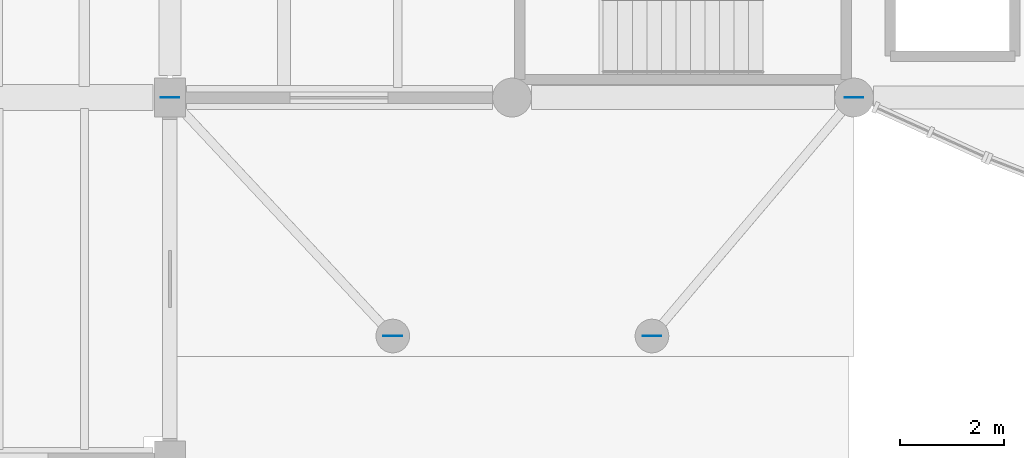
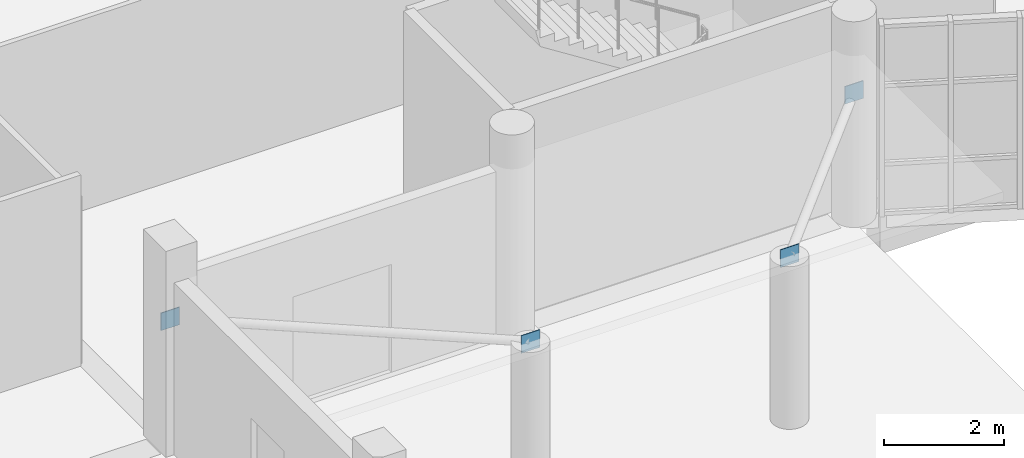
# One storey, part 42 of 69: 4 plates.
"""IFC4 building model written with IfcOpenShell, lengths in metres."""

from ifc_helpers import new_model, si_unit, direction, frame, origin, origin_2d, place, context, subcontext, project, spatial, rectangle, extrude, material, layer, layer_set, type_object, element, save


model = new_model("IFC4")

# Units and contexts
model_context = context("Model", 3, precision=1e-05, world=origin(), true_north=direction((0.0, 1.0)))
body_context = subcontext(model_context, "Body", "Model", "MODEL_VIEW")
ifc_project = project(units=[si_unit("LENGTHUNIT", "METRE"), si_unit("AREAUNIT", "SQUARE_METRE"), si_unit("VOLUMEUNIT", "CUBIC_METRE"), si_unit("PLANEANGLEUNIT", "RADIAN"), si_unit("MASSUNIT", "GRAM", prefix="KILO")], contexts=[model_context])

# Site, building, storey
site_placement = place(None, origin())
site = spatial("IfcSite", under=ifc_project, at=site_placement, CompositionType="ELEMENT")
building_placement = place(site_placement, origin())
building = spatial("IfcBuilding", under=site, at=building_placement, Name="Ciguamira Faculty of Natural Sciences", CompositionType="ELEMENT")
storey_placement = place(building_placement, origin())
storey = spatial("IfcBuildingStorey", under=building, at=storey_placement, Name="L00", CompositionType="ELEMENT", Elevation=0.0)

# Plates
ifc_material = material(Name="Steel ASTM A572 Grade 50", Category="steel")
ifc_layer = layer(ifc_material, 0.01611328125, Name="Steel ASTM A572 Grade 50")
ifc_layer_set = layer_set([ifc_layer], Name="Steel ASTM A572 Grade 50")
plate_type = type_object("IfcPlateType", Name="GussetPlate_EP-01", PredefinedType="SHEET", material=ifc_layer_set)
for number, where, z_axis, x_axis, name in (
    (1, (50.699951171875, 10.0, 2.31982421875), (0.0, 0.0, 1.0), (1.0, 0.0, 0.0), "Arrival Canopy HSS End-Cap Plate 1-1"),
    (2, (55.0, 5.39990234375, 3.14013671875), (0.0, 0.0, 1.0), (1.0, 0.0, 0.0), "Arrival Canopy HSS End-Cap Plate 1-2"),
    (3, (63.89990234375, 10.0, 2.31982421875), (0.0, 0.0, 1.0), (1.0, 0.0, 0.0), "Arrival Canopy HSS End-Cap Plate 2-1"),
    (4, (60.0, 5.39990234375, 3.14013671875), (0.0, 0.0, 1.0), (1.0, 0.0, 0.0), "Arrival Canopy HSS End-Cap Plate 2-2"),
):
    element("IfcPlate", number, at=place(storey_placement, frame(where, z_axis=z_axis, x_axis=x_axis)), inside=storey, type_object=plate_type, Name=name, PredefinedType="SHEET", context=body_context, shape_type="SweptSolid", body=[
        extrude(rectangle(XDim=0.360107421875, YDim=0.01611328125, at=origin_2d()), origin(), (0.0, 0.0, 1.0), 0.360107421875),
    ])

save(model, "model.ifc")
